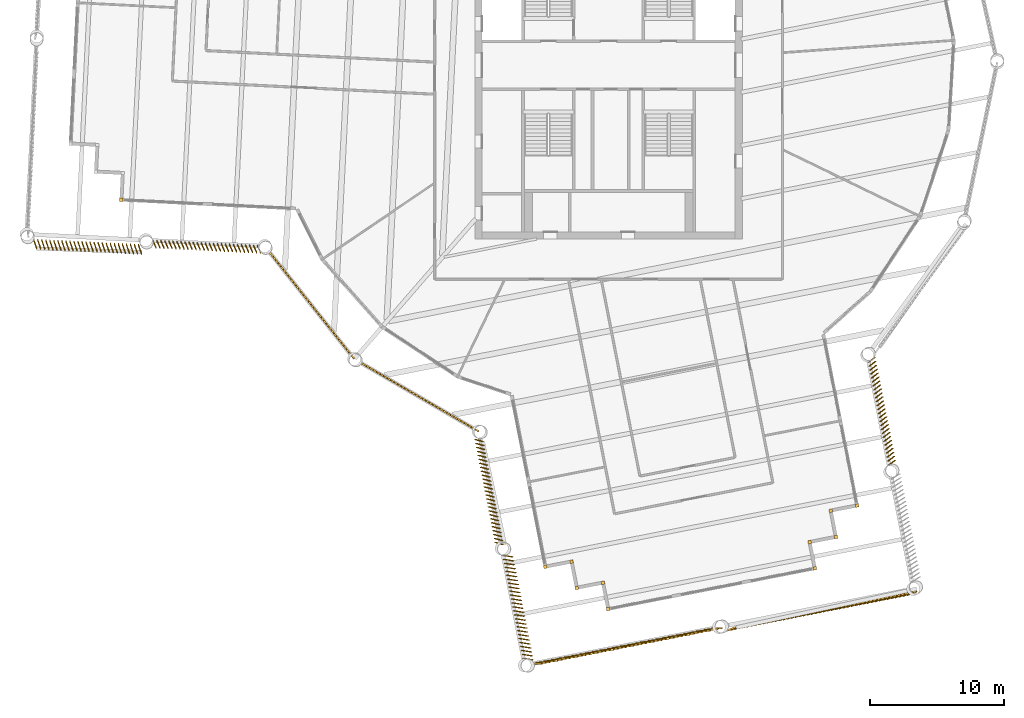
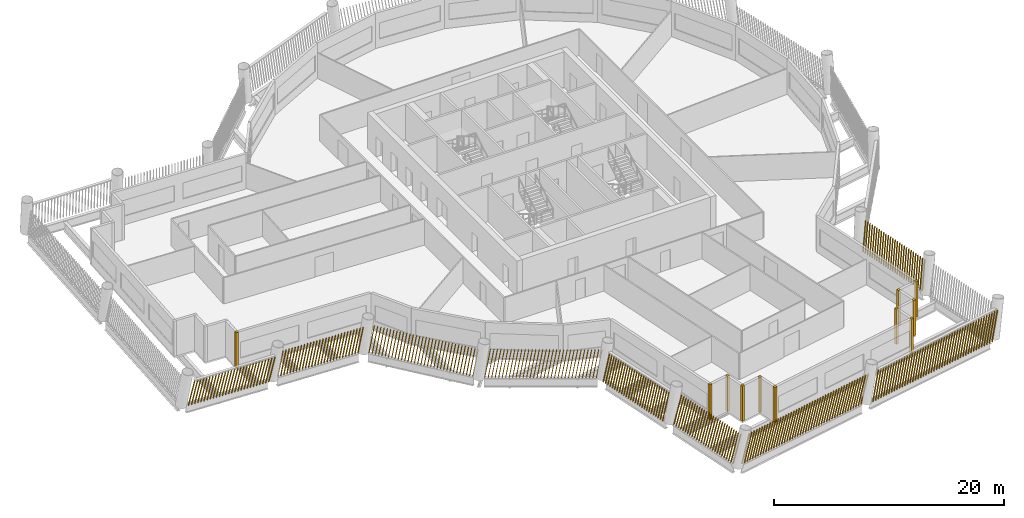
# One storey, part 10 of 14: 20 shading devices.
"""IFC4 building model written with IfcOpenShell, lengths in metres."""

from ifc_helpers import new_model, si_unit, direction, frame, frame_2d, origin, origin_2d, place, context, subcontext, project, spatial, rectangle, composite_profile, extrude, material, type_object, element, save


model = new_model("IFC4")

# Units and contexts
model_context = context("Model", 3, precision=1e-05, world=origin(), true_north=direction((0.0, 1.0)))
body_context = subcontext(model_context, "Body", "Model", "MODEL_VIEW")
ifc_project = project(units=[si_unit("LENGTHUNIT", "METRE"), si_unit("AREAUNIT", "SQUARE_METRE"), si_unit("VOLUMEUNIT", "CUBIC_METRE"), si_unit("PLANEANGLEUNIT", "RADIAN"), si_unit("MASSUNIT", "GRAM", prefix="KILO")], contexts=[model_context])

# Site, building, storey
site_placement = place(None, origin())
site = spatial("IfcSite", under=ifc_project, at=site_placement, CompositionType="ELEMENT")
building_placement = place(site_placement, origin())
building = spatial("IfcBuilding", under=site, at=building_placement, Name="Tarsis Ring Headquarters", CompositionType="ELEMENT")
storey_placement = place(building_placement, frame((0.0, 0.0, 274.699951171875)))
storey = spatial("IfcBuildingStorey", under=building, at=storey_placement, Name="L64", CompositionType="ELEMENT", Elevation=274.699951171875)

# Shading devices
ifc_material = material(Name="Terracotta baguette", Category="masonry")
shading_device_type_1 = type_object("IfcShadingDeviceType", Name="Terracotta baguette screen", PredefinedType="USERDEFINED", material=ifc_material)
shading_device_1_placement = place(storey_placement, frame((-18.579345703125, -22.214599609375, 0.0), z_axis=(0.0, 0.0, 1.0), x_axis=(0.864309806371, -0.502935665209, 0.0)))
element("IfcShadingDevice", 1, at=shading_device_1_placement, inside=storey, type_object=shading_device_type_1, Name="Baguette screen L64-00", ObjectType="Terracotta baguette screen", PredefinedType="USERDEFINED", context=body_context, shape_type="SweptSolid", body=[
    extrude(composite_profile([rectangle(XDim=0.06005859375, YDim=0.1201171875, at=frame_2d((0.030029296875, 0.0))), rectangle(XDim=0.06005859375, YDim=0.1201171875, at=frame_2d((0.33349609375, 0.0))), rectangle(XDim=0.06005859375, YDim=0.1201171875, at=frame_2d((0.636962890625, 0.0))), rectangle(XDim=0.06005859375, YDim=0.1201171875, at=frame_2d((0.9404296875, 0.0))), rectangle(XDim=0.06005859375, YDim=0.1201171875, at=frame_2d((1.243896484375, 0.0))), rectangle(XDim=0.06005859375, YDim=0.1201171875, at=frame_2d((1.54736328125, 0.0))), rectangle(XDim=0.06005859375, YDim=0.1201171875, at=frame_2d((1.85107421875, 0.0))), rectangle(XDim=0.06005859375, YDim=0.1201171875, at=frame_2d((2.154541015625, 0.0))), rectangle(XDim=0.06005859375, YDim=0.1201171875, at=frame_2d((2.4580078125, 0.0))), rectangle(XDim=0.06005859375, YDim=0.1201171875, at=frame_2d((2.761474609375, 0.0))), rectangle(XDim=0.06005859375, YDim=0.1201171875, at=frame_2d((3.06494140625, 0.0))), rectangle(XDim=0.06005859375, YDim=0.1201171875, at=frame_2d((3.368408203125, 0.0))), rectangle(XDim=0.06005859375, YDim=0.1201171875, at=frame_2d((3.671875, 0.0))), rectangle(XDim=0.06005859375, YDim=0.1201171875, at=frame_2d((3.975341796875, 0.0))), rectangle(XDim=0.06005859375, YDim=0.1201171875, at=frame_2d((4.27880859375, 0.0))), rectangle(XDim=0.06005859375, YDim=0.1201171875, at=frame_2d((4.582275390625, 0.0))), rectangle(XDim=0.06005859375, YDim=0.1201171875, at=frame_2d((4.8857421875, 0.0))), rectangle(XDim=0.06005859375, YDim=0.1201171875, at=frame_2d((5.189453125, 0.0))), rectangle(XDim=0.06005859375, YDim=0.1201171875, at=frame_2d((5.492919921875, 0.0))), rectangle(XDim=0.06005859375, YDim=0.1201171875, at=frame_2d((5.79638671875, 0.0))), rectangle(XDim=0.06005859375, YDim=0.1201171875, at=frame_2d((6.099853515625, 0.0))), rectangle(XDim=0.06005859375, YDim=0.1201171875, at=frame_2d((6.4033203125, 0.0))), rectangle(XDim=0.06005859375, YDim=0.1201171875, at=frame_2d((6.706787109375, 0.0))), rectangle(XDim=0.06005859375, YDim=0.1201171875, at=frame_2d((7.01025390625, 0.0))), rectangle(XDim=0.06005859375, YDim=0.1201171875, at=frame_2d((7.313720703125, 0.0))), rectangle(XDim=0.06005859375, YDim=0.1201171875, at=frame_2d((7.6171875, 0.0))), rectangle(XDim=0.06005859375, YDim=0.1201171875, at=frame_2d((7.920654296875, 0.0))), rectangle(XDim=0.06005859375, YDim=0.1201171875, at=frame_2d((8.224365234375, 0.0))), rectangle(XDim=0.06005859375, YDim=0.1201171875, at=frame_2d((8.52783203125, 0.0))), rectangle(XDim=0.06005859375, YDim=0.1201171875, at=frame_2d((8.831298828125, 0.0))), rectangle(XDim=0.06005859375, YDim=0.1201171875, at=frame_2d((9.134765625, 0.0))), rectangle(XDim=0.06005859375, YDim=0.1201171875, at=frame_2d((9.438232421875, 0.0))), rectangle(XDim=0.06005859375, YDim=0.1201171875, at=frame_2d((9.74169921875, 0.0)))]), origin(), (0.165543459368, 0.001444156897, 0.986201438587), 3.00927734375),
])
shading_device_2_placement = place(storey_placement, frame((-9.972900390625, -27.943603515625, 0.0), z_axis=(0.0, 0.0, 1.0), x_axis=(0.192844784973, -0.981216015818, 0.0)))
element("IfcShadingDevice", 2, at=shading_device_2_placement, inside=storey, type_object=shading_device_type_1, Name="Baguette screen L64-01", ObjectType="Terracotta baguette screen", PredefinedType="USERDEFINED", context=body_context, shape_type="SweptSolid", body=[
    extrude(composite_profile([rectangle(XDim=0.06005859375, YDim=0.1201171875, at=frame_2d((0.030029296875, 0.0))), rectangle(XDim=0.06005859375, YDim=0.1201171875, at=frame_2d((0.33154296875, 0.0))), rectangle(XDim=0.06005859375, YDim=0.1201171875, at=frame_2d((0.63330078125, 0.0))), rectangle(XDim=0.06005859375, YDim=0.1201171875, at=frame_2d((0.934814453125, 0.0))), rectangle(XDim=0.06005859375, YDim=0.1201171875, at=frame_2d((1.236572265625, 0.0))), rectangle(XDim=0.06005859375, YDim=0.1201171875, at=frame_2d((1.5380859375, 0.0))), rectangle(XDim=0.06005859375, YDim=0.1201171875, at=frame_2d((1.83984375, 0.0))), rectangle(XDim=0.06005859375, YDim=0.1201171875, at=frame_2d((2.141357421875, 0.0))), rectangle(XDim=0.06005859375, YDim=0.1201171875, at=frame_2d((2.443115234375, 0.0))), rectangle(XDim=0.06005859375, YDim=0.1201171875, at=frame_2d((2.74462890625, 0.0))), rectangle(XDim=0.06005859375, YDim=0.1201171875, at=frame_2d((3.04638671875, 0.0))), rectangle(XDim=0.06005859375, YDim=0.1201171875, at=frame_2d((3.347900390625, 0.0))), rectangle(XDim=0.06005859375, YDim=0.1201171875, at=frame_2d((3.649658203125, 0.0))), rectangle(XDim=0.06005859375, YDim=0.1201171875, at=frame_2d((3.951171875, 0.0))), rectangle(XDim=0.06005859375, YDim=0.1201171875, at=frame_2d((4.252685546875, 0.0))), rectangle(XDim=0.06005859375, YDim=0.1201171875, at=frame_2d((4.554443359375, 0.0))), rectangle(XDim=0.06005859375, YDim=0.1201171875, at=frame_2d((4.85595703125, 0.0))), rectangle(XDim=0.06005859375, YDim=0.1201171875, at=frame_2d((5.15771484375, 0.0))), rectangle(XDim=0.06005859375, YDim=0.1201171875, at=frame_2d((5.459228515625, 0.0))), rectangle(XDim=0.06005859375, YDim=0.1201171875, at=frame_2d((5.760986328125, 0.0))), rectangle(XDim=0.06005859375, YDim=0.1201171875, at=frame_2d((6.0625, 0.0))), rectangle(XDim=0.06005859375, YDim=0.1201171875, at=frame_2d((6.3642578125, 0.0))), rectangle(XDim=0.06005859375, YDim=0.1201171875, at=frame_2d((6.665771484375, 0.0))), rectangle(XDim=0.06005859375, YDim=0.1201171875, at=frame_2d((6.967529296875, 0.0))), rectangle(XDim=0.06005859375, YDim=0.1201171875, at=frame_2d((7.26904296875, 0.0))), rectangle(XDim=0.06005859375, YDim=0.1201171875, at=frame_2d((7.57080078125, 0.0))), rectangle(XDim=0.06005859375, YDim=0.1201171875, at=frame_2d((7.872314453125, 0.0)))]), origin(), (0.086104725008, 0.170733369483, 0.981547804682), 3.023681640625),
])
shading_device_3_placement = place(storey_placement, frame((-7.887939453125, -36.6064453125, 0.0), z_axis=(0.0, 0.0, 1.0), x_axis=(0.192850743041, -0.981215435474, 0.0)))
element("IfcShadingDevice", 3, at=shading_device_3_placement, inside=storey, type_object=shading_device_type_1, Name="Baguette screen L64-02", ObjectType="Terracotta baguette screen", PredefinedType="USERDEFINED", context=body_context, shape_type="SweptSolid", body=[
    extrude(composite_profile([rectangle(XDim=0.06005859375, YDim=0.1201171875, at=frame_2d((0.030029296875, 0.0))), rectangle(XDim=0.06005859375, YDim=0.1201171875, at=frame_2d((0.33154296875, 0.0))), rectangle(XDim=0.06005859375, YDim=0.1201171875, at=frame_2d((0.63330078125, 0.0))), rectangle(XDim=0.06005859375, YDim=0.1201171875, at=frame_2d((0.934814453125, 0.0))), rectangle(XDim=0.06005859375, YDim=0.1201171875, at=frame_2d((1.236572265625, 0.0))), rectangle(XDim=0.06005859375, YDim=0.1201171875, at=frame_2d((1.5380859375, 0.0))), rectangle(XDim=0.06005859375, YDim=0.1201171875, at=frame_2d((1.83984375, 0.0))), rectangle(XDim=0.06005859375, YDim=0.1201171875, at=frame_2d((2.141357421875, 0.0))), rectangle(XDim=0.06005859375, YDim=0.1201171875, at=frame_2d((2.443115234375, 0.0))), rectangle(XDim=0.06005859375, YDim=0.1201171875, at=frame_2d((2.74462890625, 0.0))), rectangle(XDim=0.06005859375, YDim=0.1201171875, at=frame_2d((3.04638671875, 0.0))), rectangle(XDim=0.06005859375, YDim=0.1201171875, at=frame_2d((3.347900390625, 0.0))), rectangle(XDim=0.06005859375, YDim=0.1201171875, at=frame_2d((3.649658203125, 0.0))), rectangle(XDim=0.06005859375, YDim=0.1201171875, at=frame_2d((3.951171875, 0.0))), rectangle(XDim=0.06005859375, YDim=0.1201171875, at=frame_2d((4.252685546875, 0.0))), rectangle(XDim=0.06005859375, YDim=0.1201171875, at=frame_2d((4.554443359375, 0.0))), rectangle(XDim=0.06005859375, YDim=0.1201171875, at=frame_2d((4.85595703125, 0.0))), rectangle(XDim=0.06005859375, YDim=0.1201171875, at=frame_2d((5.15771484375, 0.0))), rectangle(XDim=0.06005859375, YDim=0.1201171875, at=frame_2d((5.459228515625, 0.0))), rectangle(XDim=0.06005859375, YDim=0.1201171875, at=frame_2d((5.760986328125, 0.0))), rectangle(XDim=0.06005859375, YDim=0.1201171875, at=frame_2d((6.0625, 0.0))), rectangle(XDim=0.06005859375, YDim=0.1201171875, at=frame_2d((6.3642578125, 0.0))), rectangle(XDim=0.06005859375, YDim=0.1201171875, at=frame_2d((6.665771484375, 0.0))), rectangle(XDim=0.06005859375, YDim=0.1201171875, at=frame_2d((6.967529296875, 0.0))), rectangle(XDim=0.06005859375, YDim=0.1201171875, at=frame_2d((7.26904296875, 0.0))), rectangle(XDim=0.06005859375, YDim=0.1201171875, at=frame_2d((7.57080078125, 0.0))), rectangle(XDim=0.06005859375, YDim=0.1201171875, at=frame_2d((7.872314453125, 0.0)))]), origin(), (0.082680622204, 0.219938679564, 0.972003545232), 3.05322265625),
])
shading_device_4_placement = place(storey_placement, frame((-5.77685546875, -44.75439453125, 0.0), z_axis=(0.0, 0.0, 1.0), x_axis=(0.98122921237, 0.192873823509, 0.0)))
element("IfcShadingDevice", 4, at=shading_device_4_placement, inside=storey, type_object=shading_device_type_1, Name="Baguette screen L64-03", ObjectType="Terracotta baguette screen", PredefinedType="USERDEFINED", context=body_context, shape_type="SweptSolid", body=[
    extrude(composite_profile([rectangle(XDim=0.06005859375, YDim=0.1201171875, at=frame_2d((0.030029296875, 0.0))), rectangle(XDim=0.06005859375, YDim=0.1201171875, at=frame_2d((0.33544921875, 0.0))), rectangle(XDim=0.06005859375, YDim=0.1201171875, at=frame_2d((0.640625, 0.0))), rectangle(XDim=0.06005859375, YDim=0.1201171875, at=frame_2d((0.946044921875, 0.0))), rectangle(XDim=0.06005859375, YDim=0.1201171875, at=frame_2d((1.25146484375, 0.0))), rectangle(XDim=0.06005859375, YDim=0.1201171875, at=frame_2d((1.556640625, 0.0))), rectangle(XDim=0.06005859375, YDim=0.1201171875, at=frame_2d((1.862060546875, 0.0))), rectangle(XDim=0.06005859375, YDim=0.1201171875, at=frame_2d((2.16748046875, 0.0))), rectangle(XDim=0.06005859375, YDim=0.1201171875, at=frame_2d((2.47265625, 0.0))), rectangle(XDim=0.06005859375, YDim=0.1201171875, at=frame_2d((2.778076171875, 0.0))), rectangle(XDim=0.06005859375, YDim=0.1201171875, at=frame_2d((3.08349609375, 0.0))), rectangle(XDim=0.06005859375, YDim=0.1201171875, at=frame_2d((3.388671875, 0.0))), rectangle(XDim=0.06005859375, YDim=0.1201171875, at=frame_2d((3.694091796875, 0.0))), rectangle(XDim=0.06005859375, YDim=0.1201171875, at=frame_2d((3.99951171875, 0.0))), rectangle(XDim=0.06005859375, YDim=0.1201171875, at=frame_2d((4.3046875, 0.0))), rectangle(XDim=0.06005859375, YDim=0.1201171875, at=frame_2d((4.610107421875, 0.0))), rectangle(XDim=0.06005859375, YDim=0.1201171875, at=frame_2d((4.91552734375, 0.0))), rectangle(XDim=0.06005859375, YDim=0.1201171875, at=frame_2d((5.220703125, 0.0))), rectangle(XDim=0.06005859375, YDim=0.1201171875, at=frame_2d((5.526123046875, 0.0))), rectangle(XDim=0.06005859375, YDim=0.1201171875, at=frame_2d((5.83154296875, 0.0))), rectangle(XDim=0.06005859375, YDim=0.1201171875, at=frame_2d((6.13671875, 0.0))), rectangle(XDim=0.06005859375, YDim=0.1201171875, at=frame_2d((6.442138671875, 0.0))), rectangle(XDim=0.06005859375, YDim=0.1201171875, at=frame_2d((6.74755859375, 0.0))), rectangle(XDim=0.06005859375, YDim=0.1201171875, at=frame_2d((7.052734375, 0.0))), rectangle(XDim=0.06005859375, YDim=0.1201171875, at=frame_2d((7.358154296875, 0.0))), rectangle(XDim=0.06005859375, YDim=0.1201171875, at=frame_2d((7.66357421875, 0.0))), rectangle(XDim=0.06005859375, YDim=0.1201171875, at=frame_2d((7.96875, 0.0))), rectangle(XDim=0.06005859375, YDim=0.1201171875, at=frame_2d((8.274169921875, 0.0))), rectangle(XDim=0.06005859375, YDim=0.1201171875, at=frame_2d((8.57958984375, 0.0))), rectangle(XDim=0.06005859375, YDim=0.1201171875, at=frame_2d((8.884765625, 0.0))), rectangle(XDim=0.06005859375, YDim=0.1201171875, at=frame_2d((9.190185546875, 0.0))), rectangle(XDim=0.06005859375, YDim=0.1201171875, at=frame_2d((9.49560546875, 0.0))), rectangle(XDim=0.06005859375, YDim=0.1201171875, at=frame_2d((9.80078125, 0.0))), rectangle(XDim=0.06005859375, YDim=0.1201171875, at=frame_2d((10.106201171875, 0.0))), rectangle(XDim=0.06005859375, YDim=0.1201171875, at=frame_2d((10.41162109375, 0.0))), rectangle(XDim=0.06005859375, YDim=0.1201171875, at=frame_2d((10.716796875, 0.0))), rectangle(XDim=0.06005859375, YDim=0.1201171875, at=frame_2d((11.022216796875, 0.0))), rectangle(XDim=0.06005859375, YDim=0.1201171875, at=frame_2d((11.32763671875, 0.0))), rectangle(XDim=0.06005859375, YDim=0.1201171875, at=frame_2d((11.6328125, 0.0))), rectangle(XDim=0.06005859375, YDim=0.1201171875, at=frame_2d((11.938232421875, 0.0))), rectangle(XDim=0.06005859375, YDim=0.1201171875, at=frame_2d((12.24365234375, 0.0))), rectangle(XDim=0.06005859375, YDim=0.1201171875, at=frame_2d((12.548828125, 0.0))), rectangle(XDim=0.06005859375, YDim=0.1201171875, at=frame_2d((12.854248046875, 0.0))), rectangle(XDim=0.06005859375, YDim=0.1201171875, at=frame_2d((13.15966796875, 0.0))), rectangle(XDim=0.06005859375, YDim=0.1201171875, at=frame_2d((13.46484375, 0.0))), rectangle(XDim=0.06005859375, YDim=0.1201171875, at=frame_2d((13.770263671875, 0.0)))]), origin(), (0.244230384411, -0.040037143128, 0.96889036867), 3.06298828125),
])
shading_device_5_placement = place(storey_placement, frame((8.817626953125, -42.26806640625, 0.0), z_axis=(0.0, 0.0, 1.0), x_axis=(0.98122921237, 0.192873823509, 0.0)))
element("IfcShadingDevice", 5, at=shading_device_5_placement, inside=storey, type_object=shading_device_type_1, Name="Baguette screen L64-04", ObjectType="Terracotta baguette screen", PredefinedType="USERDEFINED", context=body_context, shape_type="SweptSolid", body=[
    extrude(composite_profile([rectangle(XDim=0.06005859375, YDim=0.1201171875, at=frame_2d((0.030029296875, 0.0))), rectangle(XDim=0.06005859375, YDim=0.1201171875, at=frame_2d((0.33544921875, 0.0))), rectangle(XDim=0.06005859375, YDim=0.1201171875, at=frame_2d((0.640625, 0.0))), rectangle(XDim=0.06005859375, YDim=0.1201171875, at=frame_2d((0.946044921875, 0.0))), rectangle(XDim=0.06005859375, YDim=0.1201171875, at=frame_2d((1.25146484375, 0.0))), rectangle(XDim=0.06005859375, YDim=0.1201171875, at=frame_2d((1.556640625, 0.0))), rectangle(XDim=0.06005859375, YDim=0.1201171875, at=frame_2d((1.862060546875, 0.0))), rectangle(XDim=0.06005859375, YDim=0.1201171875, at=frame_2d((2.16748046875, 0.0))), rectangle(XDim=0.06005859375, YDim=0.1201171875, at=frame_2d((2.47265625, 0.0))), rectangle(XDim=0.06005859375, YDim=0.1201171875, at=frame_2d((2.778076171875, 0.0))), rectangle(XDim=0.06005859375, YDim=0.1201171875, at=frame_2d((3.08349609375, 0.0))), rectangle(XDim=0.06005859375, YDim=0.1201171875, at=frame_2d((3.388671875, 0.0))), rectangle(XDim=0.06005859375, YDim=0.1201171875, at=frame_2d((3.694091796875, 0.0))), rectangle(XDim=0.06005859375, YDim=0.1201171875, at=frame_2d((3.99951171875, 0.0))), rectangle(XDim=0.06005859375, YDim=0.1201171875, at=frame_2d((4.3046875, 0.0))), rectangle(XDim=0.06005859375, YDim=0.1201171875, at=frame_2d((4.610107421875, 0.0))), rectangle(XDim=0.06005859375, YDim=0.1201171875, at=frame_2d((4.91552734375, 0.0))), rectangle(XDim=0.06005859375, YDim=0.1201171875, at=frame_2d((5.220703125, 0.0))), rectangle(XDim=0.06005859375, YDim=0.1201171875, at=frame_2d((5.526123046875, 0.0))), rectangle(XDim=0.06005859375, YDim=0.1201171875, at=frame_2d((5.83154296875, 0.0))), rectangle(XDim=0.06005859375, YDim=0.1201171875, at=frame_2d((6.13671875, 0.0))), rectangle(XDim=0.06005859375, YDim=0.1201171875, at=frame_2d((6.442138671875, 0.0))), rectangle(XDim=0.06005859375, YDim=0.1201171875, at=frame_2d((6.74755859375, 0.0))), rectangle(XDim=0.06005859375, YDim=0.1201171875, at=frame_2d((7.052734375, 0.0))), rectangle(XDim=0.06005859375, YDim=0.1201171875, at=frame_2d((7.358154296875, 0.0))), rectangle(XDim=0.06005859375, YDim=0.1201171875, at=frame_2d((7.66357421875, 0.0))), rectangle(XDim=0.06005859375, YDim=0.1201171875, at=frame_2d((7.96875, 0.0))), rectangle(XDim=0.06005859375, YDim=0.1201171875, at=frame_2d((8.274169921875, 0.0))), rectangle(XDim=0.06005859375, YDim=0.1201171875, at=frame_2d((8.57958984375, 0.0))), rectangle(XDim=0.06005859375, YDim=0.1201171875, at=frame_2d((8.884765625, 0.0))), rectangle(XDim=0.06005859375, YDim=0.1201171875, at=frame_2d((9.190185546875, 0.0))), rectangle(XDim=0.06005859375, YDim=0.1201171875, at=frame_2d((9.49560546875, 0.0))), rectangle(XDim=0.06005859375, YDim=0.1201171875, at=frame_2d((9.80078125, 0.0))), rectangle(XDim=0.06005859375, YDim=0.1201171875, at=frame_2d((10.106201171875, 0.0))), rectangle(XDim=0.06005859375, YDim=0.1201171875, at=frame_2d((10.41162109375, 0.0))), rectangle(XDim=0.06005859375, YDim=0.1201171875, at=frame_2d((10.716796875, 0.0))), rectangle(XDim=0.06005859375, YDim=0.1201171875, at=frame_2d((11.022216796875, 0.0))), rectangle(XDim=0.06005859375, YDim=0.1201171875, at=frame_2d((11.32763671875, 0.0))), rectangle(XDim=0.06005859375, YDim=0.1201171875, at=frame_2d((11.6328125, 0.0))), rectangle(XDim=0.06005859375, YDim=0.1201171875, at=frame_2d((11.938232421875, 0.0))), rectangle(XDim=0.06005859375, YDim=0.1201171875, at=frame_2d((12.24365234375, 0.0))), rectangle(XDim=0.06005859375, YDim=0.1201171875, at=frame_2d((12.548828125, 0.0))), rectangle(XDim=0.06005859375, YDim=0.1201171875, at=frame_2d((12.854248046875, 0.0))), rectangle(XDim=0.06005859375, YDim=0.1201171875, at=frame_2d((13.15966796875, 0.0))), rectangle(XDim=0.06005859375, YDim=0.1201171875, at=frame_2d((13.46484375, 0.0))), rectangle(XDim=0.06005859375, YDim=0.1201171875, at=frame_2d((13.770263671875, 0.0)))]), origin(), (0.245503420795, 0.044284749782, 0.968383669479), 3.064697265625),
])
shading_device_6_placement = place(storey_placement, frame((20.96337890625, -29.916259765625, 0.0), z_axis=(0.0, 0.0, 1.0), x_axis=(-0.192875679684, 0.981216015818, 0.0)))
element("IfcShadingDevice", 6, at=shading_device_6_placement, inside=storey, type_object=shading_device_type_1, Name="Baguette screen L64-06", ObjectType="Terracotta baguette screen", PredefinedType="USERDEFINED", context=body_context, shape_type="SweptSolid", body=[
    extrude(composite_profile([rectangle(XDim=0.06005859375, YDim=0.1201171875, at=frame_2d((0.030029296875, 0.0))), rectangle(XDim=0.06005859375, YDim=0.1201171875, at=frame_2d((0.33154296875, 0.0))), rectangle(XDim=0.06005859375, YDim=0.1201171875, at=frame_2d((0.63330078125, 0.0))), rectangle(XDim=0.06005859375, YDim=0.1201171875, at=frame_2d((0.934814453125, 0.0))), rectangle(XDim=0.06005859375, YDim=0.1201171875, at=frame_2d((1.236572265625, 0.0))), rectangle(XDim=0.06005859375, YDim=0.1201171875, at=frame_2d((1.5380859375, 0.0))), rectangle(XDim=0.06005859375, YDim=0.1201171875, at=frame_2d((1.83984375, 0.0))), rectangle(XDim=0.06005859375, YDim=0.1201171875, at=frame_2d((2.141357421875, 0.0))), rectangle(XDim=0.06005859375, YDim=0.1201171875, at=frame_2d((2.443115234375, 0.0))), rectangle(XDim=0.06005859375, YDim=0.1201171875, at=frame_2d((2.74462890625, 0.0))), rectangle(XDim=0.06005859375, YDim=0.1201171875, at=frame_2d((3.04638671875, 0.0))), rectangle(XDim=0.06005859375, YDim=0.1201171875, at=frame_2d((3.347900390625, 0.0))), rectangle(XDim=0.06005859375, YDim=0.1201171875, at=frame_2d((3.649658203125, 0.0))), rectangle(XDim=0.06005859375, YDim=0.1201171875, at=frame_2d((3.951171875, 0.0))), rectangle(XDim=0.06005859375, YDim=0.1201171875, at=frame_2d((4.252685546875, 0.0))), rectangle(XDim=0.06005859375, YDim=0.1201171875, at=frame_2d((4.554443359375, 0.0))), rectangle(XDim=0.06005859375, YDim=0.1201171875, at=frame_2d((4.85595703125, 0.0))), rectangle(XDim=0.06005859375, YDim=0.1201171875, at=frame_2d((5.15771484375, 0.0))), rectangle(XDim=0.06005859375, YDim=0.1201171875, at=frame_2d((5.459228515625, 0.0))), rectangle(XDim=0.06005859375, YDim=0.1201171875, at=frame_2d((5.760986328125, 0.0))), rectangle(XDim=0.06005859375, YDim=0.1201171875, at=frame_2d((6.0625, 0.0))), rectangle(XDim=0.06005859375, YDim=0.1201171875, at=frame_2d((6.3642578125, 0.0))), rectangle(XDim=0.06005859375, YDim=0.1201171875, at=frame_2d((6.665771484375, 0.0))), rectangle(XDim=0.06005859375, YDim=0.1201171875, at=frame_2d((6.967529296875, 0.0))), rectangle(XDim=0.06005859375, YDim=0.1201171875, at=frame_2d((7.26904296875, 0.0))), rectangle(XDim=0.06005859375, YDim=0.1201171875, at=frame_2d((7.57080078125, 0.0))), rectangle(XDim=0.06005859375, YDim=0.1201171875, at=frame_2d((7.872314453125, 0.0)))]), origin(), (0.086923916681, -0.169256007723, 0.981731448288), 3.02294921875),
])
shading_device_7_placement = place(storey_placement, frame((-43.009033203125, -13.030517578125, 0.0), z_axis=(0.0, 0.0, 1.0), x_axis=(0.998733316856, -0.050234799802, 0.0)))
element("IfcShadingDevice", 7, at=shading_device_7_placement, inside=storey, type_object=shading_device_type_1, Name="Baguette screen L64-19", ObjectType="Terracotta baguette screen", PredefinedType="USERDEFINED", context=body_context, shape_type="SweptSolid", body=[
    extrude(composite_profile([rectangle(XDim=0.06005859375, YDim=0.1201171875, at=frame_2d((0.030029296875, 0.0))), rectangle(XDim=0.06005859375, YDim=0.1201171875, at=frame_2d((0.33154296875, 0.0))), rectangle(XDim=0.06005859375, YDim=0.1201171875, at=frame_2d((0.63330078125, 0.0))), rectangle(XDim=0.06005859375, YDim=0.1201171875, at=frame_2d((0.934814453125, 0.0))), rectangle(XDim=0.06005859375, YDim=0.1201171875, at=frame_2d((1.236572265625, 0.0))), rectangle(XDim=0.06005859375, YDim=0.1201171875, at=frame_2d((1.5380859375, 0.0))), rectangle(XDim=0.06005859375, YDim=0.1201171875, at=frame_2d((1.83984375, 0.0))), rectangle(XDim=0.06005859375, YDim=0.1201171875, at=frame_2d((2.141357421875, 0.0))), rectangle(XDim=0.06005859375, YDim=0.1201171875, at=frame_2d((2.443115234375, 0.0))), rectangle(XDim=0.06005859375, YDim=0.1201171875, at=frame_2d((2.74462890625, 0.0))), rectangle(XDim=0.06005859375, YDim=0.1201171875, at=frame_2d((3.04638671875, 0.0))), rectangle(XDim=0.06005859375, YDim=0.1201171875, at=frame_2d((3.347900390625, 0.0))), rectangle(XDim=0.06005859375, YDim=0.1201171875, at=frame_2d((3.649658203125, 0.0))), rectangle(XDim=0.06005859375, YDim=0.1201171875, at=frame_2d((3.951171875, 0.0))), rectangle(XDim=0.06005859375, YDim=0.1201171875, at=frame_2d((4.252685546875, 0.0))), rectangle(XDim=0.06005859375, YDim=0.1201171875, at=frame_2d((4.554443359375, 0.0))), rectangle(XDim=0.06005859375, YDim=0.1201171875, at=frame_2d((4.85595703125, 0.0))), rectangle(XDim=0.06005859375, YDim=0.1201171875, at=frame_2d((5.15771484375, 0.0))), rectangle(XDim=0.06005859375, YDim=0.1201171875, at=frame_2d((5.459228515625, 0.0))), rectangle(XDim=0.06005859375, YDim=0.1201171875, at=frame_2d((5.760986328125, 0.0))), rectangle(XDim=0.06005859375, YDim=0.1201171875, at=frame_2d((6.0625, 0.0))), rectangle(XDim=0.06005859375, YDim=0.1201171875, at=frame_2d((6.3642578125, 0.0))), rectangle(XDim=0.06005859375, YDim=0.1201171875, at=frame_2d((6.665771484375, 0.0))), rectangle(XDim=0.06005859375, YDim=0.1201171875, at=frame_2d((6.967529296875, 0.0))), rectangle(XDim=0.06005859375, YDim=0.1201171875, at=frame_2d((7.26904296875, 0.0))), rectangle(XDim=0.06005859375, YDim=0.1201171875, at=frame_2d((7.57080078125, 0.0))), rectangle(XDim=0.06005859375, YDim=0.1201171875, at=frame_2d((7.872314453125, 0.0)))]), origin(), (0.088634346563, -0.218405134857, 0.971824649655), 3.0537109375),
])
shading_device_8_placement = place(storey_placement, frame((-34.09912109375, -13.103271484375, 0.0), z_axis=(0.0, 0.0, 1.0), x_axis=(0.998733277721, -0.05023635184, 0.0)))
element("IfcShadingDevice", 8, at=shading_device_8_placement, inside=storey, type_object=shading_device_type_1, Name="Baguette screen L64-20", ObjectType="Terracotta baguette screen", PredefinedType="USERDEFINED", context=body_context, shape_type="SweptSolid", body=[
    extrude(composite_profile([rectangle(XDim=0.06005859375, YDim=0.1201171875, at=frame_2d((0.030029296875, 0.0))), rectangle(XDim=0.06005859375, YDim=0.1201171875, at=frame_2d((0.33154296875, 0.0))), rectangle(XDim=0.06005859375, YDim=0.1201171875, at=frame_2d((0.63330078125, 0.0))), rectangle(XDim=0.06005859375, YDim=0.1201171875, at=frame_2d((0.934814453125, 0.0))), rectangle(XDim=0.06005859375, YDim=0.1201171875, at=frame_2d((1.236572265625, 0.0))), rectangle(XDim=0.06005859375, YDim=0.1201171875, at=frame_2d((1.5380859375, 0.0))), rectangle(XDim=0.06005859375, YDim=0.1201171875, at=frame_2d((1.83984375, 0.0))), rectangle(XDim=0.06005859375, YDim=0.1201171875, at=frame_2d((2.141357421875, 0.0))), rectangle(XDim=0.06005859375, YDim=0.1201171875, at=frame_2d((2.443115234375, 0.0))), rectangle(XDim=0.06005859375, YDim=0.1201171875, at=frame_2d((2.74462890625, 0.0))), rectangle(XDim=0.06005859375, YDim=0.1201171875, at=frame_2d((3.04638671875, 0.0))), rectangle(XDim=0.06005859375, YDim=0.1201171875, at=frame_2d((3.347900390625, 0.0))), rectangle(XDim=0.06005859375, YDim=0.1201171875, at=frame_2d((3.649658203125, 0.0))), rectangle(XDim=0.06005859375, YDim=0.1201171875, at=frame_2d((3.951171875, 0.0))), rectangle(XDim=0.06005859375, YDim=0.1201171875, at=frame_2d((4.252685546875, 0.0))), rectangle(XDim=0.06005859375, YDim=0.1201171875, at=frame_2d((4.554443359375, 0.0))), rectangle(XDim=0.06005859375, YDim=0.1201171875, at=frame_2d((4.85595703125, 0.0))), rectangle(XDim=0.06005859375, YDim=0.1201171875, at=frame_2d((5.15771484375, 0.0))), rectangle(XDim=0.06005859375, YDim=0.1201171875, at=frame_2d((5.459228515625, 0.0))), rectangle(XDim=0.06005859375, YDim=0.1201171875, at=frame_2d((5.760986328125, 0.0))), rectangle(XDim=0.06005859375, YDim=0.1201171875, at=frame_2d((6.0625, 0.0))), rectangle(XDim=0.06005859375, YDim=0.1201171875, at=frame_2d((6.3642578125, 0.0))), rectangle(XDim=0.06005859375, YDim=0.1201171875, at=frame_2d((6.665771484375, 0.0))), rectangle(XDim=0.06005859375, YDim=0.1201171875, at=frame_2d((6.967529296875, 0.0))), rectangle(XDim=0.06005859375, YDim=0.1201171875, at=frame_2d((7.26904296875, 0.0))), rectangle(XDim=0.06005859375, YDim=0.1201171875, at=frame_2d((7.57080078125, 0.0))), rectangle(XDim=0.06005859375, YDim=0.1201171875, at=frame_2d((7.872314453125, 0.0)))]), origin(), (0.086925550557, -0.169256038703, 0.98173129828), 3.02294921875),
])
shading_device_9_placement = place(storey_placement, frame((-25.396728515625, -13.9169921875, 0.0), z_axis=(0.0, 0.0, 1.0), x_axis=(0.621611492817, -0.783310430981, 0.0)))
element("IfcShadingDevice", 9, at=shading_device_9_placement, inside=storey, type_object=shading_device_type_1, Name="Baguette screen L64-21", ObjectType="Terracotta baguette screen", PredefinedType="USERDEFINED", context=body_context, shape_type="SweptSolid", body=[
    extrude(composite_profile([rectangle(XDim=0.06005859375, YDim=0.1201171875, at=frame_2d((0.030029296875, 0.0))), rectangle(XDim=0.06005859375, YDim=0.1201171875, at=frame_2d((0.33349609375, 0.0))), rectangle(XDim=0.06005859375, YDim=0.1201171875, at=frame_2d((0.636962890625, 0.0))), rectangle(XDim=0.06005859375, YDim=0.1201171875, at=frame_2d((0.9404296875, 0.0))), rectangle(XDim=0.06005859375, YDim=0.1201171875, at=frame_2d((1.243896484375, 0.0))), rectangle(XDim=0.06005859375, YDim=0.1201171875, at=frame_2d((1.54736328125, 0.0))), rectangle(XDim=0.06005859375, YDim=0.1201171875, at=frame_2d((1.85107421875, 0.0))), rectangle(XDim=0.06005859375, YDim=0.1201171875, at=frame_2d((2.154541015625, 0.0))), rectangle(XDim=0.06005859375, YDim=0.1201171875, at=frame_2d((2.4580078125, 0.0))), rectangle(XDim=0.06005859375, YDim=0.1201171875, at=frame_2d((2.761474609375, 0.0))), rectangle(XDim=0.06005859375, YDim=0.1201171875, at=frame_2d((3.06494140625, 0.0))), rectangle(XDim=0.06005859375, YDim=0.1201171875, at=frame_2d((3.368408203125, 0.0))), rectangle(XDim=0.06005859375, YDim=0.1201171875, at=frame_2d((3.671875, 0.0))), rectangle(XDim=0.06005859375, YDim=0.1201171875, at=frame_2d((3.975341796875, 0.0))), rectangle(XDim=0.06005859375, YDim=0.1201171875, at=frame_2d((4.27880859375, 0.0))), rectangle(XDim=0.06005859375, YDim=0.1201171875, at=frame_2d((4.582275390625, 0.0))), rectangle(XDim=0.06005859375, YDim=0.1201171875, at=frame_2d((4.8857421875, 0.0))), rectangle(XDim=0.06005859375, YDim=0.1201171875, at=frame_2d((5.189453125, 0.0))), rectangle(XDim=0.06005859375, YDim=0.1201171875, at=frame_2d((5.492919921875, 0.0))), rectangle(XDim=0.06005859375, YDim=0.1201171875, at=frame_2d((5.79638671875, 0.0))), rectangle(XDim=0.06005859375, YDim=0.1201171875, at=frame_2d((6.099853515625, 0.0))), rectangle(XDim=0.06005859375, YDim=0.1201171875, at=frame_2d((6.4033203125, 0.0))), rectangle(XDim=0.06005859375, YDim=0.1201171875, at=frame_2d((6.706787109375, 0.0))), rectangle(XDim=0.06005859375, YDim=0.1201171875, at=frame_2d((7.01025390625, 0.0))), rectangle(XDim=0.06005859375, YDim=0.1201171875, at=frame_2d((7.313720703125, 0.0))), rectangle(XDim=0.06005859375, YDim=0.1201171875, at=frame_2d((7.6171875, 0.0))), rectangle(XDim=0.06005859375, YDim=0.1201171875, at=frame_2d((7.920654296875, 0.0))), rectangle(XDim=0.06005859375, YDim=0.1201171875, at=frame_2d((8.224365234375, 0.0))), rectangle(XDim=0.06005859375, YDim=0.1201171875, at=frame_2d((8.52783203125, 0.0))), rectangle(XDim=0.06005859375, YDim=0.1201171875, at=frame_2d((8.831298828125, 0.0))), rectangle(XDim=0.06005859375, YDim=0.1201171875, at=frame_2d((9.134765625, 0.0))), rectangle(XDim=0.06005859375, YDim=0.1201171875, at=frame_2d((9.438232421875, 0.0))), rectangle(XDim=0.06005859375, YDim=0.1201171875, at=frame_2d((9.74169921875, 0.0)))]), origin(), (0.16554349277, 0.001446434796, 0.986201429642), 3.00927734375),
])
shading_device_type_2 = type_object("IfcShadingDeviceType", Name="Terracotta corner baguette 250x250", PredefinedType="USERDEFINED", material=ifc_material)
for number, where, z_axis, x_axis, name in (
    (10, (-36.42626953125, -10.057373046875, 0.0), (0.0, 0.0, 1.0), (-0.050244021849, -0.998736971514, 0.0), "Corner baguette L64-01"),
    (11, (-4.733154296875, -37.49169921875, 0.0), (0.0, 0.0, 1.0), (0.192864559051, -0.981225387901, 0.0), "Corner baguette L64-07"),
    (12, (-2.7705078125, -37.10595703125, 0.0), (0.0, 0.0, 1.0), (0.981225384535, 0.192864576176, 0.0), "Corner baguette L64-08"),
    (13, (-2.384765625, -39.068359375, 0.0), (0.0, 0.0, 1.0), (0.192864387794, -0.981225421563, 0.0), "Corner baguette L64-09"),
    (14, (-0.42236328125, -38.6826171875, 0.0), (0.0, 0.0, 1.0), (0.981225327311, 0.192864867312, 0.0), "Corner baguette L64-10"),
    (15, (-0.03662109375, -40.645263671875, 0.0), (0.0, 0.0, 1.0), (0.192863993905, -0.981225498983, 0.0), "Corner baguette L64-11"),
    (16, (15.417724609375, -37.607666015625, 0.0), (0.0, 0.0, 1.0), (0.981225401366, 0.192864490548, 0.0), "Corner baguette L64-12"),
    (17, (15.031982421875, -35.64501953125, 0.0), (0.0, 0.0, 1.0), (-0.192864473422, 0.981225404732, 0.0), "Corner baguette L64-13"),
    (18, (16.994384765625, -35.25927734375, 0.0), (0.0, 0.0, 1.0), (0.981225384535, 0.192864576176, 0.0), "Corner baguette L64-14"),
    (19, (16.608642578125, -33.296875, 0.0), (0.0, 0.0, 1.0), (-0.192864576176, 0.981225384535, 0.0), "Corner baguette L64-15"),
    (20, (18.571044921875, -32.9111328125, 0.0), (0.0, 0.0, 1.0), (0.981225421563, 0.192864387794, 0.0), "Corner baguette L64-16"),
):
    element("IfcShadingDevice", number, at=place(storey_placement, frame(where, z_axis=z_axis, x_axis=x_axis)), inside=storey, type_object=shading_device_type_2, Name=name, ObjectType="Terracotta corner baguette", PredefinedType="USERDEFINED", context=body_context, shape_type="SweptSolid", body=[
        extrude(rectangle(XDim=0.25, YDim=0.25, at=origin_2d()), origin(), (0.0, 0.0, 1.0), 3.739990234375),
    ])

save(model, "model.ifc")
